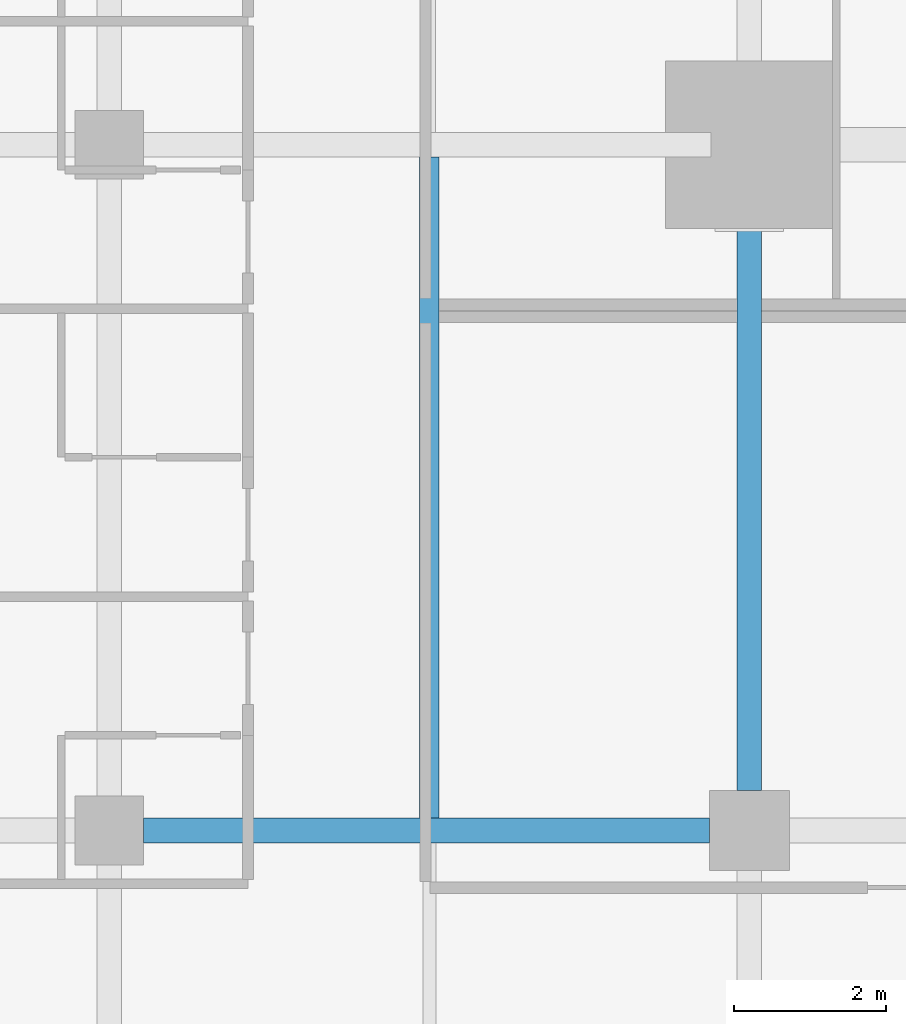
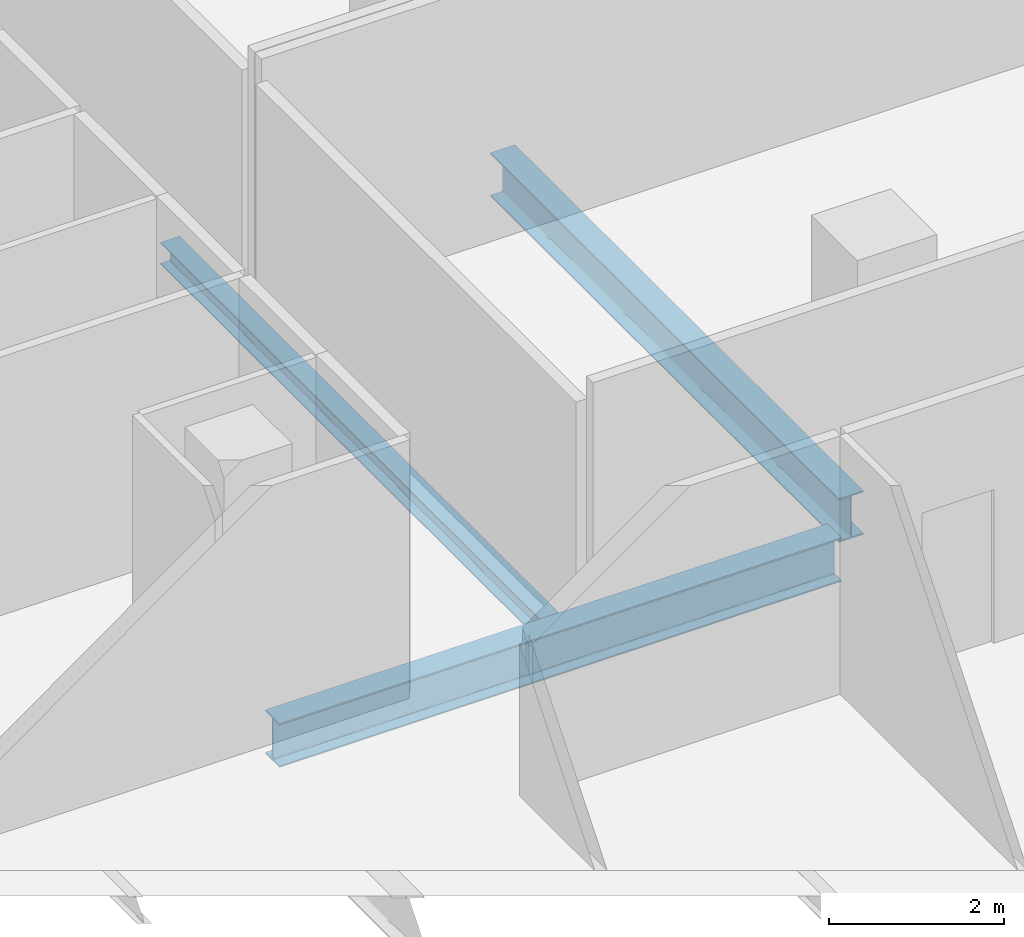
# One storey, part 11 of 40: 3 beams.
"""IFC4 building model written with IfcOpenShell, lengths in metres."""

from ifc_helpers import new_model, si_unit, direction, frame, origin, origin_2d, place, context, subcontext, project, spatial, i_section, extrude, material, material_profile, profile_set, type_object, element, save


model = new_model("IFC4")

# Units and contexts
model_context = context("Model", 3, precision=1e-05, world=origin(), true_north=direction((0.0, 1.0)))
body_context = subcontext(model_context, "Body", "Model", "MODEL_VIEW")
ifc_project = project(units=[si_unit("LENGTHUNIT", "METRE"), si_unit("AREAUNIT", "SQUARE_METRE"), si_unit("VOLUMEUNIT", "CUBIC_METRE"), si_unit("PLANEANGLEUNIT", "RADIAN"), si_unit("MASSUNIT", "GRAM", prefix="KILO")], contexts=[model_context])

# Site, building, storey
site_placement = place(None, origin())
site = spatial("IfcSite", under=ifc_project, at=site_placement, CompositionType="ELEMENT")
building_placement = place(site_placement, origin())
building = spatial("IfcBuilding", under=site, at=building_placement, Name="Maruvema Waterfront Hotel and Observation Tower", CompositionType="ELEMENT")
storey_placement = place(building_placement, frame((0.0, 0.0, 107.800048828125)))
storey = spatial("IfcBuildingStorey", under=building, at=storey_placement, Name="L26", CompositionType="ELEMENT", Elevation=107.800048828125)

# Beams
ifc_material_1 = material(Name="Steel ASTM A572 Grade 50", Category="steel")
ifc_material_profile_1 = material_profile(ifc_material_1, i_section(OverallWidth=0.323974609375, OverallDepth=0.611083984375, WebThickness=0.0126953125, FlangeThickness=0.01904296875, FilletRadius=0.01806640625, at=origin_2d()), Name="W610x155.0")
ifc_profile_set_1 = profile_set([ifc_material_profile_1], Name="Steel ASTM A572 Grade 50")
beam_type_1 = type_object("IfcBeamType", Name="Primary Floor Girder W610x155.0", PredefinedType="BEAM", material=ifc_profile_set_1)
beam_1_placement = place(storey_placement, frame((17.25, 18.0, -0.545654296875), z_axis=(1.0, 0.0, 0.0), x_axis=(0.0, 1.0, 0.0)))
element("IfcBeam", 1, at=beam_1_placement, inside=storey, type_object=beam_type_1, Name="L26 Floor Girder EW-14", PredefinedType="BEAM", context=body_context, shape_type="SweptSolid", body=[
    extrude(i_section(OverallWidth=0.323974609375, OverallDepth=0.611083984375, WebThickness=0.0126953125, FlangeThickness=0.01904296875, FilletRadius=0.01806640625, at=origin_2d()), origin(), (0.0, 0.0, 1.0), 7.425048828125),
])
beam_2_placement = place(storey_placement, frame((25.199951171875, 18.52490234375, -0.545654296875), z_axis=(0.0, 1.0, 0.0), x_axis=(-1.0, 0.0, 0.0)))
element("IfcBeam", 2, at=beam_2_placement, inside=storey, type_object=beam_type_1, Name="L26 Floor Girder NS-13", PredefinedType="BEAM", context=body_context, shape_type="SweptSolid", body=[
    extrude(i_section(OverallWidth=0.323974609375, OverallDepth=0.611083984375, WebThickness=0.0126953125, FlangeThickness=0.01904296875, FilletRadius=0.01806640625, at=origin_2d()), origin(), (0.0, 0.0, 1.0), 7.97509765625),
])
ifc_material_2 = material(Name="Steel ASTM A572 Grade 50", Category="steel")
ifc_material_profile_2 = material_profile(ifc_material_2, i_section(OverallWidth=0.25390625, OverallDepth=0.305908203125, WebThickness=0.0087890625, FlangeThickness=0.0146484375, FilletRadius=0.014892578125, at=origin_2d()), Name="W310x79.0")
ifc_profile_set_2 = profile_set([ifc_material_profile_2], Name="Steel ASTM A572 Grade 50")
beam_type_2 = type_object("IfcBeamType", Name="Secondary Floor Joist W310x79.0", PredefinedType="JOIST", material=ifc_profile_set_2)
beam_3_placement = place(storey_placement, frame((21.0, 18.162109375, -0.39306640625), z_axis=(0.0, 1.0, 0.0), x_axis=(-1.0, 0.0, 0.0)))
element("IfcBeam", 3, at=beam_3_placement, inside=storey, type_object=beam_type_2, Name="L26 Secondary Floor Joist JS-07", PredefinedType="JOIST", context=body_context, shape_type="SweptSolid", body=[
    extrude(i_section(OverallWidth=0.25390625, OverallDepth=0.305908203125, WebThickness=0.0087890625, FlangeThickness=0.0146484375, FilletRadius=0.014892578125, at=origin_2d()), origin(), (0.0, 0.0, 1.0), 8.67578125),
])

save(model, "model.ifc")
